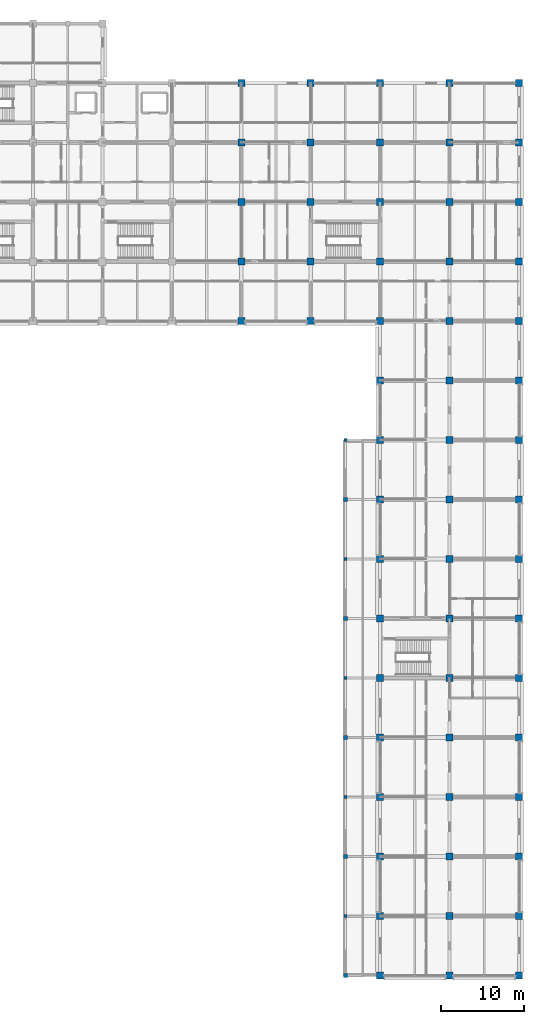
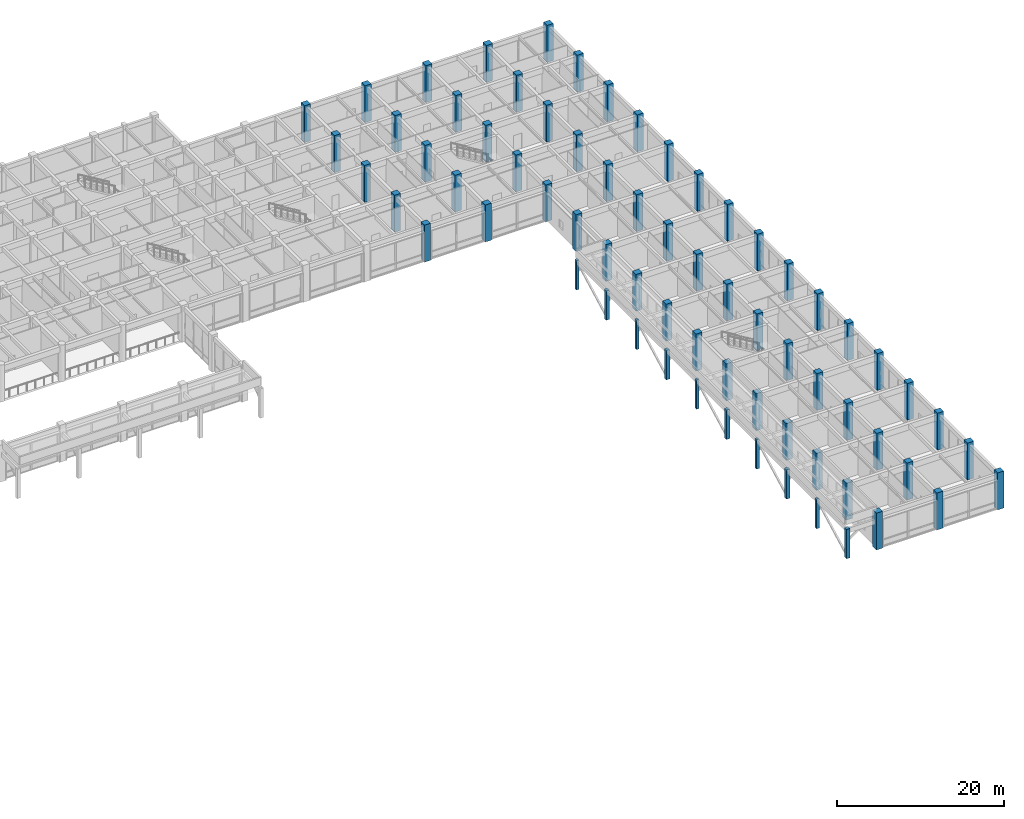
# One storey, part 3 of 68: 68 columns.
"""IFC4 building model written with IfcOpenShell, lengths in metres."""

from ifc_helpers import new_model, si_unit, direction, frame, origin, origin_2d, place, context, subcontext, project, spatial, rectangle, extrude, material, material_profile, profile_set, type_object, element, save


model = new_model("IFC4")

# Units and contexts
model_context = context("Model", 3, precision=1e-05, world=origin(), true_north=direction((0.0, 1.0)))
body_context = subcontext(model_context, "Body", "Model", "MODEL_VIEW")
ifc_project = project(units=[si_unit("LENGTHUNIT", "METRE"), si_unit("AREAUNIT", "SQUARE_METRE"), si_unit("VOLUMEUNIT", "CUBIC_METRE"), si_unit("PLANEANGLEUNIT", "RADIAN"), si_unit("MASSUNIT", "GRAM", prefix="KILO")], contexts=[model_context])

# Site, building, storey
site_placement = place(None, origin())
site = spatial("IfcSite", under=ifc_project, at=site_placement, CompositionType="ELEMENT")
building_placement = place(site_placement, origin())
building = spatial("IfcBuilding", under=site, at=building_placement, Name="Chengyuan Square Courthouse", CompositionType="ELEMENT")
storey_placement = place(building_placement, frame((0.0, 0.0, 5.39990234375)))
storey = spatial("IfcBuildingStorey", under=building, at=storey_placement, Name="L02", CompositionType="ELEMENT", Elevation=5.39990234375)

# Columns
ifc_material_1 = material(Name="Concrete C50", Category="concrete")
ifc_material_profile_1 = material_profile(ifc_material_1, rectangle(XDim=0.85009765625, YDim=0.85009765625, at=origin_2d()), Name="RC-COL-850x850")
ifc_profile_set_1 = profile_set([ifc_material_profile_1], Name="Concrete C50")
column_type_1 = type_object("IfcColumnType", Name="CL-03", PredefinedType="COLUMN", material=ifc_profile_set_1)
for number, where, z_axis, x_axis, name in (
    (1, (134.39990234375, 79.199951171875, 0.0), (0.0, 0.0, 1.0), (1.0, 0.0, 0.0), "Column CL-L02-130"),
    (2, (134.39990234375, 86.39990234375, 0.0), (0.0, 0.0, 1.0), (1.0, 0.0, 0.0), "Column CL-L02-131"),
    (3, (134.39990234375, 93.60009765625, 0.0), (0.0, 0.0, 1.0), (1.0, 0.0, 0.0), "Column CL-L02-132"),
    (4, (134.39990234375, 100.800048828125, 0.0), (0.0, 0.0, 1.0), (1.0, 0.0, 0.0), "Column CL-L02-133"),
    (5, (134.39990234375, 108.0, 0.0), (0.0, 0.0, 1.0), (1.0, 0.0, 0.0), "Column CL-L02-134"),
    (6, (142.800048828125, 79.199951171875, 0.0), (0.0, 0.0, 1.0), (1.0, 0.0, 0.0), "Column CL-L02-135"),
    (7, (142.800048828125, 86.39990234375, 0.0), (0.0, 0.0, 1.0), (1.0, 0.0, 0.0), "Column CL-L02-136"),
    (8, (142.800048828125, 93.60009765625, 0.0), (0.0, 0.0, 1.0), (1.0, 0.0, 0.0), "Column CL-L02-137"),
    (9, (142.800048828125, 100.800048828125, 0.0), (0.0, 0.0, 1.0), (1.0, 0.0, 0.0), "Column CL-L02-138"),
    (10, (142.800048828125, 108.0, 0.0), (0.0, 0.0, 1.0), (1.0, 0.0, 0.0), "Column CL-L02-139"),
    (11, (151.199951171875, 0.0, 0.0), (0.0, 0.0, 1.0), (1.0, 0.0, 0.0), "Column CL-L02-140"),
    (12, (151.199951171875, 7.199951171875, 0.0), (0.0, 0.0, 1.0), (1.0, 0.0, 0.0), "Column CL-L02-141"),
    (13, (151.199951171875, 14.39990234375, 0.0), (0.0, 0.0, 1.0), (1.0, 0.0, 0.0), "Column CL-L02-142"),
    (14, (151.199951171875, 21.60009765625, 0.0), (0.0, 0.0, 1.0), (1.0, 0.0, 0.0), "Column CL-L02-143"),
    (15, (151.199951171875, 28.800048828125, 0.0), (0.0, 0.0, 1.0), (1.0, 0.0, 0.0), "Column CL-L02-144"),
    (16, (151.199951171875, 36.0, 0.0), (0.0, 0.0, 1.0), (1.0, 0.0, 0.0), "Column CL-L02-145"),
    (17, (151.199951171875, 43.199951171875, 0.0), (0.0, 0.0, 1.0), (1.0, 0.0, 0.0), "Column CL-L02-146"),
    (18, (151.199951171875, 50.39990234375, 0.0), (0.0, 0.0, 1.0), (1.0, 0.0, 0.0), "Column CL-L02-147"),
    (19, (151.199951171875, 57.60009765625, 0.0), (0.0, 0.0, 1.0), (1.0, 0.0, 0.0), "Column CL-L02-148"),
    (20, (151.199951171875, 64.800048828125, 0.0), (0.0, 0.0, 1.0), (1.0, 0.0, 0.0), "Column CL-L02-149"),
    (21, (151.199951171875, 72.0, 0.0), (0.0, 0.0, 1.0), (1.0, 0.0, 0.0), "Column CL-L02-150"),
    (22, (151.199951171875, 79.199951171875, 0.0), (0.0, 0.0, 1.0), (1.0, 0.0, 0.0), "Column CL-L02-151"),
    (23, (151.199951171875, 86.39990234375, 0.0), (0.0, 0.0, 1.0), (1.0, 0.0, 0.0), "Column CL-L02-152"),
    (24, (151.199951171875, 93.60009765625, 0.0), (0.0, 0.0, 1.0), (1.0, 0.0, 0.0), "Column CL-L02-153"),
    (25, (151.199951171875, 100.800048828125, 0.0), (0.0, 0.0, 1.0), (1.0, 0.0, 0.0), "Column CL-L02-154"),
    (26, (151.199951171875, 108.0, 0.0), (0.0, 0.0, 1.0), (1.0, 0.0, 0.0), "Column CL-L02-155"),
    (27, (159.60009765625, 0.0, 0.0), (0.0, 0.0, 1.0), (1.0, 0.0, 0.0), "Column CL-L02-156"),
    (28, (159.60009765625, 7.199951171875, 0.0), (0.0, 0.0, 1.0), (1.0, 0.0, 0.0), "Column CL-L02-157"),
    (29, (159.60009765625, 14.39990234375, 0.0), (0.0, 0.0, 1.0), (1.0, 0.0, 0.0), "Column CL-L02-158"),
    (30, (159.60009765625, 21.60009765625, 0.0), (0.0, 0.0, 1.0), (1.0, 0.0, 0.0), "Column CL-L02-159"),
    (31, (159.60009765625, 28.800048828125, 0.0), (0.0, 0.0, 1.0), (1.0, 0.0, 0.0), "Column CL-L02-160"),
    (32, (159.60009765625, 36.0, 0.0), (0.0, 0.0, 1.0), (1.0, 0.0, 0.0), "Column CL-L02-161"),
    (33, (159.60009765625, 43.199951171875, 0.0), (0.0, 0.0, 1.0), (1.0, 0.0, 0.0), "Column CL-L02-162"),
    (34, (159.60009765625, 50.39990234375, 0.0), (0.0, 0.0, 1.0), (1.0, 0.0, 0.0), "Column CL-L02-163"),
    (35, (159.60009765625, 57.60009765625, 0.0), (0.0, 0.0, 1.0), (1.0, 0.0, 0.0), "Column CL-L02-164"),
    (36, (159.60009765625, 64.800048828125, 0.0), (0.0, 0.0, 1.0), (1.0, 0.0, 0.0), "Column CL-L02-165"),
    (37, (159.60009765625, 72.0, 0.0), (0.0, 0.0, 1.0), (1.0, 0.0, 0.0), "Column CL-L02-166"),
    (38, (159.60009765625, 79.199951171875, 0.0), (0.0, 0.0, 1.0), (1.0, 0.0, 0.0), "Column CL-L02-167"),
    (39, (159.60009765625, 86.39990234375, 0.0), (0.0, 0.0, 1.0), (1.0, 0.0, 0.0), "Column CL-L02-168"),
    (40, (159.60009765625, 93.60009765625, 0.0), (0.0, 0.0, 1.0), (1.0, 0.0, 0.0), "Column CL-L02-169"),
    (41, (159.60009765625, 100.800048828125, 0.0), (0.0, 0.0, 1.0), (1.0, 0.0, 0.0), "Column CL-L02-170"),
    (42, (159.60009765625, 108.0, 0.0), (0.0, 0.0, 1.0), (1.0, 0.0, 0.0), "Column CL-L02-171"),
    (43, (168.0, 0.0, 0.0), (0.0, 0.0, 1.0), (1.0, 0.0, 0.0), "Column CL-L02-172"),
    (44, (168.0, 7.199951171875, 0.0), (0.0, 0.0, 1.0), (1.0, 0.0, 0.0), "Column CL-L02-173"),
    (45, (168.0, 14.39990234375, 0.0), (0.0, 0.0, 1.0), (1.0, 0.0, 0.0), "Column CL-L02-174"),
    (46, (168.0, 21.60009765625, 0.0), (0.0, 0.0, 1.0), (1.0, 0.0, 0.0), "Column CL-L02-175"),
    (47, (168.0, 28.800048828125, 0.0), (0.0, 0.0, 1.0), (1.0, 0.0, 0.0), "Column CL-L02-176"),
    (48, (168.0, 36.0, 0.0), (0.0, 0.0, 1.0), (1.0, 0.0, 0.0), "Column CL-L02-177"),
    (49, (168.0, 43.199951171875, 0.0), (0.0, 0.0, 1.0), (1.0, 0.0, 0.0), "Column CL-L02-178"),
    (50, (168.0, 50.39990234375, 0.0), (0.0, 0.0, 1.0), (1.0, 0.0, 0.0), "Column CL-L02-179"),
    (51, (168.0, 57.60009765625, 0.0), (0.0, 0.0, 1.0), (1.0, 0.0, 0.0), "Column CL-L02-180"),
    (52, (168.0, 64.800048828125, 0.0), (0.0, 0.0, 1.0), (1.0, 0.0, 0.0), "Column CL-L02-181"),
    (53, (168.0, 72.0, 0.0), (0.0, 0.0, 1.0), (1.0, 0.0, 0.0), "Column CL-L02-182"),
    (54, (168.0, 79.199951171875, 0.0), (0.0, 0.0, 1.0), (1.0, 0.0, 0.0), "Column CL-L02-183"),
    (55, (168.0, 86.39990234375, 0.0), (0.0, 0.0, 1.0), (1.0, 0.0, 0.0), "Column CL-L02-184"),
    (56, (168.0, 93.60009765625, 0.0), (0.0, 0.0, 1.0), (1.0, 0.0, 0.0), "Column CL-L02-185"),
    (57, (168.0, 100.800048828125, 0.0), (0.0, 0.0, 1.0), (1.0, 0.0, 0.0), "Column CL-L02-186"),
    (58, (168.0, 108.0, 0.0), (0.0, 0.0, 1.0), (1.0, 0.0, 0.0), "Column CL-L02-187"),
):
    element("IfcColumn", number, at=place(storey_placement, frame(where, z_axis=z_axis, x_axis=x_axis)), inside=storey, type_object=column_type_1, Name=name, PredefinedType="COLUMN", context=body_context, shape_type="SweptSolid", body=[
        extrude(rectangle(XDim=0.85009765625, YDim=0.85009765625, at=origin_2d()), origin(), (0.0, 0.0, 1.0), 5.400146484375),
    ])
ifc_material_2 = material(Name="Glulam TCt28", Category="wood")
ifc_material_profile_2 = material_profile(ifc_material_2, rectangle(XDim=0.47998046875, YDim=0.47998046875, at=origin_2d()), Name="GL-COL-480x480")
ifc_profile_set_2 = profile_set([ifc_material_profile_2], Name="Glulam TCt28")
column_type_2 = type_object("IfcColumnType", Name="GL-01", PredefinedType="COLUMN", material=ifc_profile_set_2)
for number, where, z_axis, x_axis, name in (
    (59, (147.0, 0.0, 0.0), (0.0, 0.0, 1.0), (1.0, 0.0, 0.0), "Glulam Colonnade Column GLC-L02-027"),
    (60, (147.0, 14.39990234375, 0.0), (0.0, 0.0, 1.0), (1.0, 0.0, 0.0), "Glulam Colonnade Column GLC-L02-031"),
    (61, (147.0, 28.800048828125, 0.0), (0.0, 0.0, 1.0), (1.0, 0.0, 0.0), "Glulam Colonnade Column GLC-L02-035"),
    (62, (147.0, 43.199951171875, 0.0), (0.0, 0.0, 1.0), (1.0, 0.0, 0.0), "Glulam Colonnade Column GLC-L02-039"),
    (63, (147.0, 57.60009765625, 0.0), (0.0, 0.0, 1.0), (1.0, 0.0, 0.0), "Glulam Colonnade Column GLC-L02-043"),
):
    element("IfcColumn", number, at=place(storey_placement, frame(where, z_axis=z_axis, x_axis=x_axis)), inside=storey, type_object=column_type_2, Name=name, PredefinedType="COLUMN", context=body_context, shape_type="SweptSolid", body=[
        extrude(rectangle(XDim=0.47998046875, YDim=0.47998046875, at=origin_2d()), origin(), (0.0, 0.0, 1.0), 4.300048828125),
    ])
ifc_material_profile_3 = material_profile(ifc_material_2, rectangle(XDim=0.3798828125, YDim=0.3798828125, at=origin_2d()), Name="GL-COL-380x380")
ifc_profile_set_3 = profile_set([ifc_material_profile_3], Name="Glulam TCt28")
column_type_3 = type_object("IfcColumnType", Name="GL-02", PredefinedType="COLUMN", material=ifc_profile_set_3)
for number, where, z_axis, x_axis, name in (
    (64, (147.0, 7.199951171875, 0.0), (0.0, 0.0, 1.0), (1.0, 0.0, 0.0), "Glulam Colonnade Column GLC-L02-029"),
    (65, (147.0, 21.60009765625, 0.0), (0.0, 0.0, 1.0), (1.0, 0.0, 0.0), "Glulam Colonnade Column GLC-L02-033"),
    (66, (147.0, 36.0, 0.0), (0.0, 0.0, 1.0), (1.0, 0.0, 0.0), "Glulam Colonnade Column GLC-L02-037"),
    (67, (147.0, 50.39990234375, 0.0), (0.0, 0.0, 1.0), (1.0, 0.0, 0.0), "Glulam Colonnade Column GLC-L02-041"),
    (68, (147.0, 64.800048828125, 0.0), (0.0, 0.0, 1.0), (1.0, 0.0, 0.0), "Glulam Colonnade Column GLC-L02-045"),
):
    element("IfcColumn", number, at=place(storey_placement, frame(where, z_axis=z_axis, x_axis=x_axis)), inside=storey, type_object=column_type_3, Name=name, PredefinedType="COLUMN", context=body_context, shape_type="SweptSolid", body=[
        extrude(rectangle(XDim=0.3798828125, YDim=0.3798828125, at=origin_2d()), origin(), (0.0, 0.0, 1.0), 4.300048828125),
    ])

save(model, "model.ifc")
